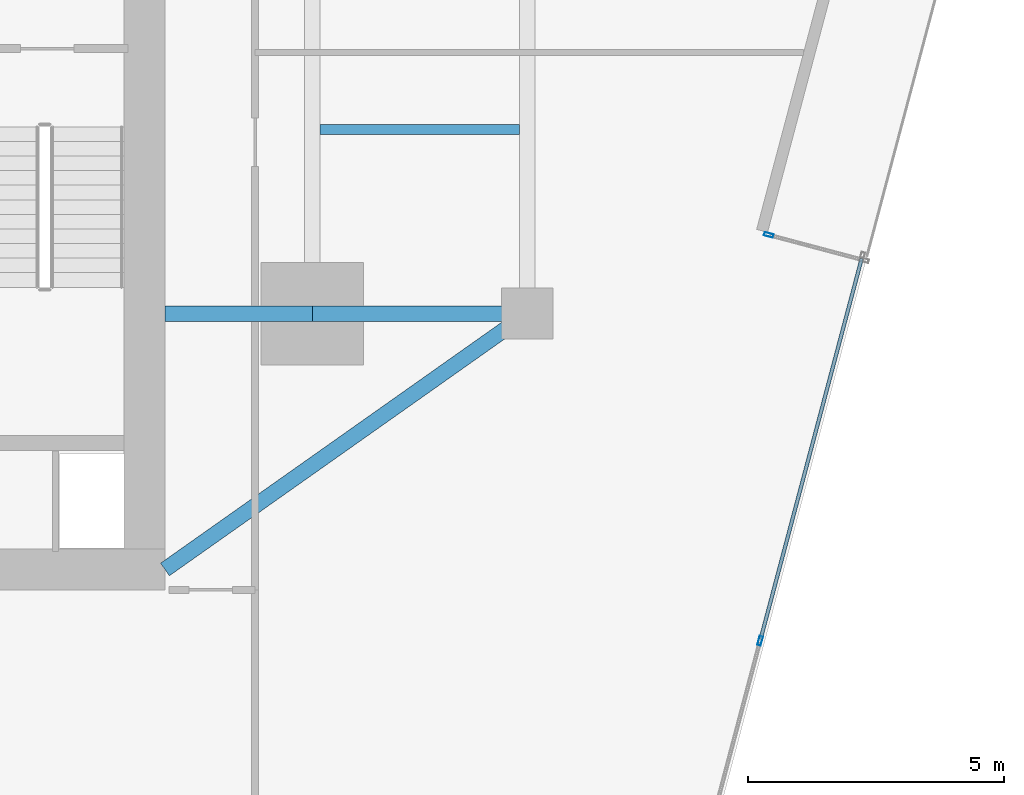
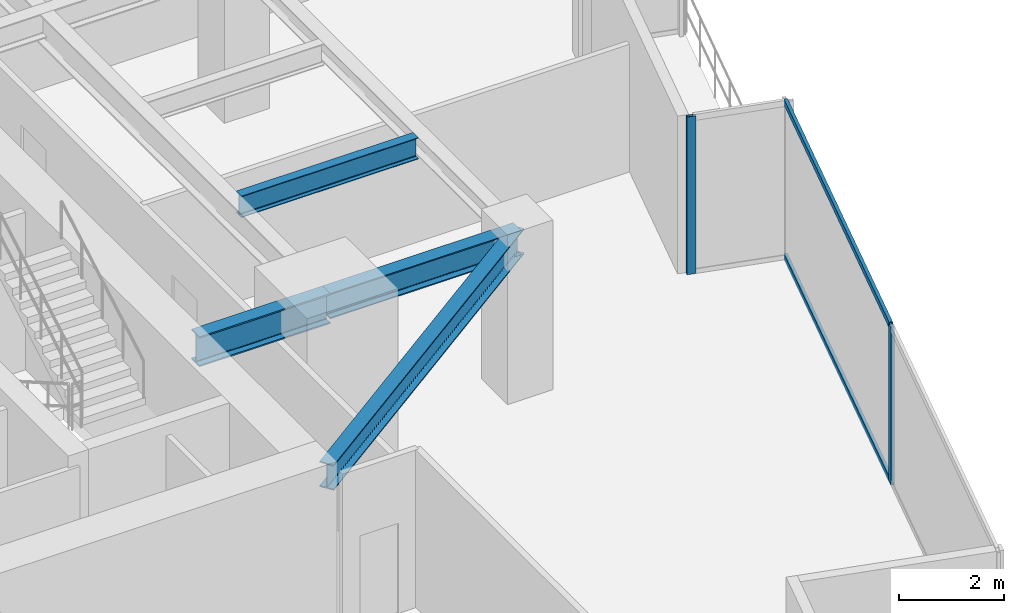
# One storey, part 11 of 27: 4 beams, 4 members, 2 elements without a shape of their own.
"""IFC4 building model written with IfcOpenShell, lengths in metres."""

from ifc_helpers import new_model, si_unit, direction, frame, origin, origin_2d, place, context, subcontext, project, spatial, hollow_rectangle, i_section, extrude, source, transform, mapped, material, material_profile, profile_set, type_object, type_shapes, element, aggregate, save


model = new_model("IFC4")

# Units and contexts
model_context = context("Model", 3, precision=1e-05, world=origin(), true_north=direction((0.0, 1.0)))
body_context = subcontext(model_context, "Body", "Model", "MODEL_VIEW")
ifc_project = project(units=[si_unit("LENGTHUNIT", "METRE"), si_unit("AREAUNIT", "SQUARE_METRE"), si_unit("VOLUMEUNIT", "CUBIC_METRE"), si_unit("PLANEANGLEUNIT", "RADIAN"), si_unit("MASSUNIT", "GRAM", prefix="KILO")], contexts=[model_context])

# Site, building, storey
site_placement = place(None, origin())
site = spatial("IfcSite", under=ifc_project, at=site_placement, CompositionType="ELEMENT")
building_placement = place(site_placement, origin())
building = spatial("IfcBuilding", under=site, at=building_placement, Name="Krantzveldt Concourse Tower", CompositionType="ELEMENT")
storey_placement = place(building_placement, frame((0.0, 0.0, 97.949951171875)))
storey = spatial("IfcBuildingStorey", under=building, at=storey_placement, Name="L23", CompositionType="ELEMENT", Elevation=97.949951171875)

# Beams
ifc_material_1 = material(Name="Steel S355J2", Category="steel")
ifc_material_profile_1 = material_profile(ifc_material_1, i_section(OverallWidth=0.300048828125, OverallDepth=0.699951171875, WebThickness=0.01708984375, FlangeThickness=0.031982421875, FilletRadius=0.027099609375, at=origin_2d()), Name="Steel S355J2", Category="steel")
ifc_profile_set_1 = profile_set([ifc_material_profile_1], Name="Steel S355J2 - HEB 700")
beam_type_1 = type_object("IfcBeamType", Name="BM-B-HEB700", PredefinedType="BEAM", material=ifc_profile_set_1)
shared_shape_1 = source(origin(), body_context, "Body", "SweptSolid", [
    extrude(i_section(OverallWidth=0.300048828125, OverallDepth=0.699951171875, WebThickness=0.01708984375, FlangeThickness=0.031982421875, FilletRadius=0.027099609375, at=origin_2d()), origin(), (0.0, 0.0, 1.0), 2.880126953125),
])
type_shapes(beam_type_1, [shared_shape_1])
beam_1_placement = place(storey_placement, frame((43.919921875, 15.89990234375, 3.320068359375), z_axis=(1.0, 0.0, 0.0), x_axis=(0.0, 1.0, 0.0)))
element("IfcBeam", 1, at=beam_1_placement, inside=storey, type_object=beam_type_1, Name="L23 Tower Girder BG-CE1", PredefinedType="BEAM", context=body_context, shape_type="MappedRepresentation", body=[
    mapped(shared_shape_1, transform((0.0, 0.0, 0.0), x_axis=(1.0, 0.0, 0.0), y_axis=(0.0, 1.0, 0.0), z_axis=(0.0, 0.0, 1.0), scale=1.0)),
])
ifc_material_2 = material(Name="Steel S355JR", Category="steel")
ifc_material_profile_2 = material_profile(ifc_material_2, i_section(OverallWidth=0.300048828125, OverallDepth=0.590087890625, WebThickness=0.012939453125, FlangeThickness=0.02490234375, FilletRadius=0.027099609375, at=origin_2d()), Name="Steel S355JR", Category="steel")
ifc_profile_set_2 = profile_set([ifc_material_profile_2], Name="Steel S355JR - HEA 600")
beam_type_2 = type_object("IfcBeamType", Name="BM-B-HEA600", PredefinedType="BEAM", material=ifc_profile_set_2)
shared_shape_2 = source(origin(), body_context, "Body", "SweptSolid", [
    extrude(i_section(OverallWidth=0.300048828125, OverallDepth=0.590087890625, WebThickness=0.012939453125, FlangeThickness=0.02490234375, FilletRadius=0.027099609375, at=origin_2d()), origin(), (0.0, 0.0, 1.0), 4.199951171875),
])
beam_2_placement = place(storey_placement, frame((46.800048828125, 15.89990234375, 3.375), z_axis=(1.0, 0.0, 0.0), x_axis=(0.0, 1.0, 0.0)))
element("IfcBeam", 2, at=beam_2_placement, inside=storey, type_object=beam_type_2, Name="L23 Tower Girder BR-RR1", PredefinedType="BEAM", context=body_context, shape_type="MappedRepresentation", body=[
    mapped(shared_shape_2, transform((0.0, 0.0, 0.0), x_axis=(1.0, 0.0, 0.0), y_axis=(0.0, 1.0, 0.0), z_axis=(0.0, 0.0, 1.0), scale=1.0)),
])
shared_shape_3 = source(origin(), body_context, "Body", "SweptSolid", [
    extrude(i_section(OverallWidth=0.300048828125, OverallDepth=0.590087890625, WebThickness=0.012939453125, FlangeThickness=0.02490234375, FilletRadius=0.027099609375, at=origin_2d()), origin(), (0.0, 0.0, 1.0), 8.667724609375),
])
type_shapes(beam_type_2, [shared_shape_2, shared_shape_3])
beam_3_placement = place(storey_placement, frame((51.0, 15.89990234375, 3.375), z_axis=(-0.81684294656, -0.576860122261, 0.0), x_axis=(0.576860122261, -0.81684294656, 0.0)))
element("IfcBeam", 3, at=beam_3_placement, inside=storey, type_object=beam_type_2, Name="L23 Tower Girder BR-CSE", PredefinedType="BEAM", context=body_context, shape_type="MappedRepresentation", body=[
    mapped(shared_shape_3, transform((0.0, 0.0, 0.0), x_axis=(1.0, 0.0, 0.0), y_axis=(0.0, 1.0, 0.0), z_axis=(0.0, 0.0, 1.0), scale=1.0)),
])
ifc_material_profile_3 = material_profile(ifc_material_2, i_section(OverallWidth=0.199951171875, OverallDepth=0.5, WebThickness=0.01025390625, FlangeThickness=0.01611328125, FilletRadius=0.02099609375, at=origin_2d()), Name="Steel S355JR", Category="steel")
ifc_profile_set_3 = profile_set([ifc_material_profile_3], Name="Steel S355JR - IPE 500")
beam_type_3 = type_object("IfcBeamType", Name="BM-J-IPE500", PredefinedType="JOIST", material=ifc_profile_set_3)
shared_shape_4 = source(origin(), body_context, "Body", "SweptSolid", [
    extrude(i_section(OverallWidth=0.199951171875, OverallDepth=0.5, WebThickness=0.01025390625, FlangeThickness=0.01611328125, FilletRadius=0.02099609375, at=origin_2d()), origin(), (0.0, 0.0, 1.0), 3.900146484375),
])
type_shapes(beam_type_3, [shared_shape_4])
beam_4_placement = place(storey_placement, frame((46.949951171875, 19.5, 3.420166015625), z_axis=(1.0, 0.0, 0.0), x_axis=(0.0, 1.0, 0.0)))
element("IfcBeam", 4, at=beam_4_placement, inside=storey, type_object=beam_type_3, Name="L23 Secondary Floor Joist JE-1", PredefinedType="JOIST", context=body_context, shape_type="MappedRepresentation", body=[
    mapped(shared_shape_4, transform((0.0, 0.0, 0.0), x_axis=(1.0, 0.0, 0.0), y_axis=(0.0, 1.0, 0.0), z_axis=(0.0, 0.0, 1.0), scale=1.0)),
])

# Curtain wall, member
ifc_material_3 = material(Name="Anodised aluminium 6063-T6", Category="aluminium")
curtain_wall_type_1 = type_object("IfcCurtainWallType", Name="CW2", PredefinedType="USERDEFINED", material=ifc_material_3)
curtain_wall_1_placement = place(storey_placement, origin())
curtain_wall_1 = element("IfcCurtainWall", 5, at=curtain_wall_1_placement, inside=storey, type_object=curtain_wall_type_1, Name="CW-L23-F07", ObjectType="UNITISED CURTAIN WALL", PredefinedType="USERDEFINED")
ifc_material_profile_4 = material_profile(ifc_material_3, hollow_rectangle(XDim=0.070068359375, YDim=0.179931640625, WallThickness=0.0048828125, at=origin_2d()), Name="Anodised aluminium 6063-T6", Category="aluminium")
ifc_profile_set_4 = profile_set([ifc_material_profile_4], Name="Anodised aluminium 6063-T6 - ALU-MULL 180x70x5")
member_type_1 = type_object("IfcMemberType", Name="CW-MUL-180", PredefinedType="MULLION", material=ifc_profile_set_4)
shared_shape_5 = source(origin(), body_context, "Body", "SweptSolid", [
    extrude(hollow_rectangle(XDim=0.070068359375, YDim=0.179931640625, WallThickness=0.0048828125, at=origin_2d()), origin(), (0.0, 0.0, 1.0), 3.670166015625),
])
type_shapes(member_type_1, [shared_shape_5])
member_1_placement = place(storey_placement, frame((55.551025390625, 9.5048828125, 0.0), z_axis=(0.0, 0.0, 1.0), x_axis=(-0.966488210944, 0.256711001141, 0.0)))
member_1 = element("IfcMember", 6, at=member_1_placement, type_object=member_type_1, Name="CW-Z12 mullion 2", PredefinedType="MULLION", context=body_context, shape_type="MappedRepresentation", body=[
    mapped(shared_shape_5, transform((0.0, 0.0, 0.0), x_axis=(1.0, 0.0, 0.0), y_axis=(0.0, 1.0, 0.0), z_axis=(0.0, 0.0, 1.0), scale=1.0)),
])

curtain_wall_type_2 = type_object("IfcCurtainWallType", Name="CW6", PredefinedType="USERDEFINED", material=ifc_material_3)
curtain_wall_2_placement = place(storey_placement, origin())
curtain_wall_2 = element("IfcCurtainWall", 7, at=curtain_wall_2_placement, inside=storey, type_object=curtain_wall_type_2, Name="CW-L23-TR08", ObjectType="UNITISED CURTAIN WALL", PredefinedType="USERDEFINED")
member_2_placement = place(storey_placement, frame((55.718017578125, 17.437744140625, 0.0), z_axis=(0.0, 0.0, 1.0), x_axis=(-0.256714292587, -0.96648733669, 0.0)))
member_2 = element("IfcMember", 8, at=member_2_placement, type_object=member_type_1, Name="CW-TERR mullion 2", PredefinedType="MULLION", context=body_context, shape_type="MappedRepresentation", body=[
    mapped(shared_shape_5, transform((0.0, 0.0, 0.0), x_axis=(1.0, 0.0, 0.0), y_axis=(0.0, 1.0, 0.0), z_axis=(0.0, 0.0, 1.0), scale=1.0)),
])
aggregate(curtain_wall_2, [member_2])

# Member
ifc_material_profile_5 = material_profile(ifc_material_3, hollow_rectangle(XDim=0.070068359375, YDim=0.139892578125, WallThickness=0.0048828125, at=origin_2d()), Name="Anodised aluminium 6063-T6", Category="aluminium")
ifc_profile_set_5 = profile_set([ifc_material_profile_5], Name="Anodised aluminium 6063-T6 - ALU-TRAN 140x70x5")
member_type_2 = type_object("IfcMemberType", Name="CW-TRN-150", PredefinedType="USERDEFINED", material=ifc_profile_set_5)
shared_shape_6 = source(origin(), body_context, "Body", "SweptSolid", [
    extrude(hollow_rectangle(XDim=0.070068359375, YDim=0.139892578125, WallThickness=0.0048828125, at=origin_2d()), origin(), (0.0, 0.0, 1.0), 7.695068359375),
])
type_shapes(member_type_2, [shared_shape_6])
member_3_placement = place(storey_placement, frame((55.56005859375, 9.53857421875, 0.03515625), z_axis=(0.256700848044, 0.966490907672, 0.0), x_axis=(-0.966490907672, 0.256700848044, 0.0)))
member_3 = element("IfcMember", 9, at=member_3_placement, type_object=member_type_2, Name="CW-Z12 transom 2.1", ObjectType="TRANSOM", PredefinedType="USERDEFINED", context=body_context, shape_type="MappedRepresentation", body=[
    mapped(shared_shape_6, transform((0.0, 0.0, 0.0), x_axis=(1.0, 0.0, 0.0), y_axis=(0.0, 1.0, 0.0), z_axis=(0.0, 0.0, 1.0), scale=1.0)),
])

member_4_placement = place(storey_placement, frame((55.56005859375, 9.53857421875, 3.635009765625), z_axis=(0.256700848044, 0.966490907672, 0.0), x_axis=(-0.966490907672, 0.256700848044, 0.0)))
member_4 = element("IfcMember", 10, at=member_4_placement, type_object=member_type_2, Name="CW-Z12 transom 2.2", ObjectType="TRANSOM", PredefinedType="USERDEFINED", context=body_context, shape_type="MappedRepresentation", body=[
    mapped(shared_shape_6, transform((0.0, 0.0, 0.0), x_axis=(1.0, 0.0, 0.0), y_axis=(0.0, 1.0, 0.0), z_axis=(0.0, 0.0, 1.0), scale=1.0)),
])

aggregate(curtain_wall_1, [member_1, member_3, member_4])

save(model, "model.ifc")
